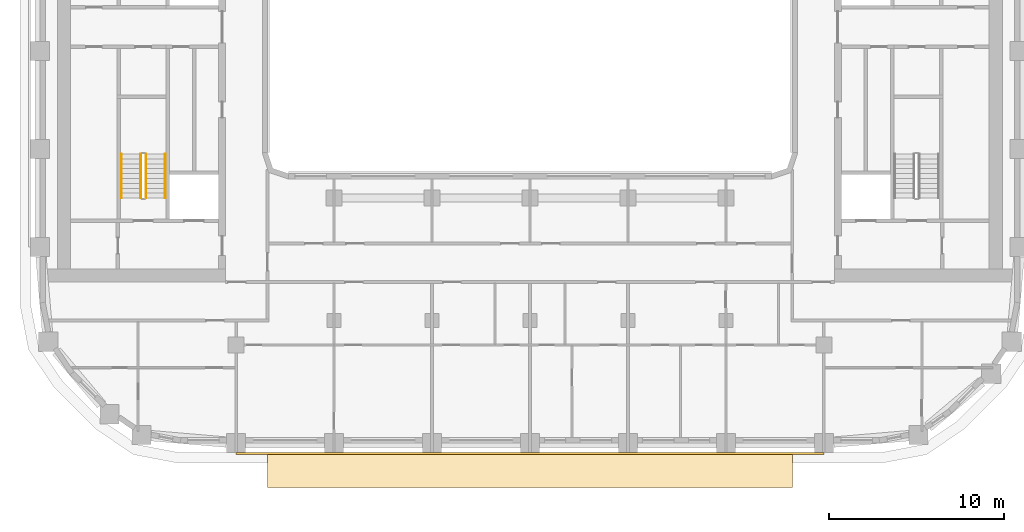
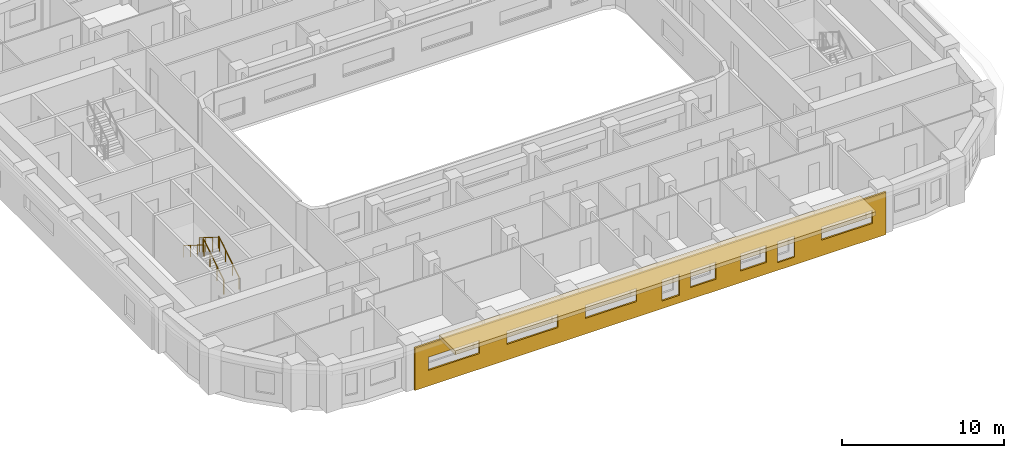
# One storey, part 12 of 22: 4 railings, 2 coverings.
"""IFC4 building model written with IfcOpenShell, lengths in metres."""

from ifc_helpers import new_model, si_unit, direction, frame, origin, origin_2d, place, context, subcontext, project, spatial, polyline, circle, outline, extrude, material, layer, layer_set, type_object, element, save


model = new_model("IFC4")

# Units and contexts
model_context = context("Model", 3, precision=1e-05, world=origin(), true_north=direction((0.0, 1.0)))
body_context = subcontext(model_context, "Body", "Model", "MODEL_VIEW")
ifc_project = project(units=[si_unit("LENGTHUNIT", "METRE"), si_unit("AREAUNIT", "SQUARE_METRE"), si_unit("VOLUMEUNIT", "CUBIC_METRE"), si_unit("PLANEANGLEUNIT", "RADIAN"), si_unit("MASSUNIT", "GRAM", prefix="KILO")], contexts=[model_context])

# Site, building, storey
site_placement = place(None, origin())
site = spatial("IfcSite", under=ifc_project, at=site_placement, CompositionType="ELEMENT")
building_placement = place(site_placement, origin())
building = spatial("IfcBuilding", under=site, at=building_placement, Name="Kiln Ring Residences", CompositionType="ELEMENT")
storey_placement = place(building_placement, frame((0.0, 0.0, 143.10009765625)))
storey = spatial("IfcBuildingStorey", under=building, at=storey_placement, Name="L36", CompositionType="ELEMENT", Elevation=143.10009765625)

# Railings
ifc_material_1 = material(Name="Stainless steel", Category="steel")
railing_type_1 = type_object("IfcRailingType", Name="CORE-STAIR-GUARD", PredefinedType="GUARDRAIL", material=ifc_material_1)
railing_1_placement = place(storey_placement, frame((-21.949951171875, -8.39990234375, 0.1748046875)))
element("IfcRailing", 1, at=railing_1_placement, inside=storey, type_object=railing_type_1, Name="L36 W-STS stair guard 1", PredefinedType="GUARDRAIL", context=body_context, shape_type="SweptSolid", body=[
    extrude(circle(Radius=0.02392578125, at=origin_2d()), frame((0.0, 0.0, 1.076171875), z_axis=(0.0, 0.847970611238, 0.530043245855), x_axis=(-1.0, 0.0, 0.0)), (0.0, 0.0, 1.0), 2.971923828125),
    extrude(circle(Radius=0.02099609375, at=origin_2d()), origin(), (0.0, 0.0, 1.0), 1.052001953125),
    extrude(circle(Radius=0.02099609375, at=origin_2d()), frame((0.0, 0.840087890625, 0.525146484375)), (0.0, 0.0, 1.0), 1.052001953125),
    extrude(circle(Radius=0.02099609375, at=origin_2d()), frame((0.0, 1.679931640625, 1.050048828125)), (0.0, 0.0, 1.0), 1.052001953125),
    extrude(circle(Radius=0.02099609375, at=origin_2d()), frame((0.0, 2.52001953125, 1.5751953125)), (0.0, 0.0, 1.0), 1.052001953125),
])
railing_2_placement = place(storey_placement, frame((-22.25, -5.8798828125, 1.9248046875)))
element("IfcRailing", 2, at=railing_2_placement, inside=storey, type_object=railing_type_1, Name="L36 W-STS stair guard 3", PredefinedType="GUARDRAIL", context=body_context, shape_type="SweptSolid", body=[
    extrude(circle(Radius=0.02392578125, at=origin_2d()), frame((0.0, 0.0, 1.076171875), z_axis=(0.0, -0.847970611238, 0.530043245855), x_axis=(1.0, 0.0, 0.0)), (0.0, 0.0, 1.0), 2.971923828125),
    extrude(circle(Radius=0.02099609375, at=origin_2d()), origin(), (0.0, 0.0, 1.0), 1.052001953125),
    extrude(circle(Radius=0.02099609375, at=origin_2d()), frame((0.0, -0.840087890625, 0.525146484375)), (0.0, 0.0, 1.0), 1.052001953125),
    extrude(circle(Radius=0.02099609375, at=origin_2d()), frame((0.0, -1.679931640625, 1.050048828125)), (0.0, 0.0, 1.0), 1.052001953125),
    extrude(circle(Radius=0.02099609375, at=origin_2d()), frame((0.0, -2.52001953125, 1.5751953125)), (0.0, 0.0, 1.0), 1.052001953125),
])
ifc_material_2 = material(Name="Stainless steel", Category="steel")
railing_type_2 = type_object("IfcRailingType", Name="CORE-STAIR-HANDRAIL", PredefinedType="HANDRAIL", material=ifc_material_2)
railing_3_placement = place(storey_placement, frame((-20.85009765625, -8.39990234375, 0.1748046875)))
element("IfcRailing", 3, at=railing_3_placement, inside=storey, type_object=railing_type_2, Name="L36 W-STS stair handrail 1", PredefinedType="HANDRAIL", context=body_context, shape_type="SweptSolid", body=[
    extrude(circle(Radius=0.02392578125, at=origin_2d()), frame((0.0, 0.0, 0.8759765625), z_axis=(0.0, 0.847970611238, 0.530043245855), x_axis=(-1.0, 0.0, 0.0)), (0.0, 0.0, 1.0), 2.971923828125),
    extrude(circle(Radius=0.02099609375, at=origin_2d()), origin(), (0.0, 0.0, 1.0), 0.851806640625),
    extrude(circle(Radius=0.02099609375, at=origin_2d()), frame((0.0, 0.840087890625, 0.525146484375)), (0.0, 0.0, 1.0), 0.851806640625),
    extrude(circle(Radius=0.02099609375, at=origin_2d()), frame((0.0, 1.679931640625, 1.050048828125)), (0.0, 0.0, 1.0), 0.851806640625),
    extrude(circle(Radius=0.02099609375, at=origin_2d()), frame((0.0, 2.52001953125, 1.5751953125)), (0.0, 0.0, 1.0), 0.851806640625),
])
railing_4_placement = place(storey_placement, frame((-23.35009765625, -5.8798828125, 1.9248046875)))
element("IfcRailing", 4, at=railing_4_placement, inside=storey, type_object=railing_type_2, Name="L36 W-STS stair handrail 2", PredefinedType="HANDRAIL", context=body_context, shape_type="SweptSolid", body=[
    extrude(circle(Radius=0.02392578125, at=origin_2d()), frame((0.0, 0.0, 0.8759765625), z_axis=(0.0, -0.847970611238, 0.530043245855), x_axis=(1.0, 0.0, 0.0)), (0.0, 0.0, 1.0), 2.971923828125),
    extrude(circle(Radius=0.02099609375, at=origin_2d()), origin(), (0.0, 0.0, 1.0), 0.851806640625),
    extrude(circle(Radius=0.02099609375, at=origin_2d()), frame((0.0, -0.840087890625, 0.525146484375)), (0.0, 0.0, 1.0), 0.851806640625),
    extrude(circle(Radius=0.02099609375, at=origin_2d()), frame((0.0, -1.679931640625, 1.050048828125)), (0.0, 0.0, 1.0), 0.851806640625),
    extrude(circle(Radius=0.02099609375, at=origin_2d()), frame((0.0, -2.52001953125, 1.5751953125)), (0.0, 0.0, 1.0), 0.851806640625),
])

# Coverings
ifc_material_3 = material(Name="Brick masonry, dark clay brick", Category="masonry")
ifc_layer_1 = layer(ifc_material_3, 0.1201171875)
ifc_layer_set_1 = layer_set([ifc_layer_1], Name="RAINSCREEN PANEL 120")
covering_type_1 = type_object("IfcCoveringType", Name="RAINSCREEN PANEL 120", PredefinedType="CLADDING", material=ifc_layer_set_1)
covering_1_placement = place(storey_placement, frame((-16.800048828125, -23.010009765625, 0.0), z_axis=(0.0, 0.0, 1.0), x_axis=(1.0, 0.0, 0.0)))
element("IfcCovering", 5, at=covering_1_placement, inside=storey, type_object=covering_type_1, Name="RAINSCREEN L36", PredefinedType="CLADDING", context=body_context, shape_type="SweptSolid", body=[
    extrude(outline(polyline([(0.0, 0.0), (33.60009765625, 0.0), (33.60009765625, 3.199951171875), (0.0, 3.199951171875), (0.0, 0.0)]), holes=[polyline([(17.617431640625, 0.579833984375), (18.857421875, 0.579833984375), (18.857421875, 2.169921875), (17.617431640625, 2.169921875), (17.617431640625, 0.579833984375)]), polyline([(25.842529296875, 0.579833984375), (27.08251953125, 0.579833984375), (27.08251953125, 2.169921875), (25.842529296875, 2.169921875), (25.842529296875, 0.579833984375)]), polyline([(19.642578125, 0.8798828125), (21.482421875, 0.8798828125), (21.482421875, 2.169921875), (19.642578125, 2.169921875), (19.642578125, 0.8798828125)]), polyline([(23.217529296875, 0.8798828125), (25.0576171875, 0.8798828125), (25.0576171875, 2.169921875), (23.217529296875, 2.169921875), (23.217529296875, 0.8798828125)]), polyline([(0.97998046875, 1.179931640625), (4.6201171875, 1.179931640625), (4.6201171875, 2.169921875), (0.97998046875, 2.169921875), (0.97998046875, 1.179931640625)]), polyline([(6.580078125, 1.179931640625), (10.219970703125, 1.179931640625), (10.219970703125, 2.169921875), (6.580078125, 2.169921875), (6.580078125, 1.179931640625)]), polyline([(12.179931640625, 1.179931640625), (15.820068359375, 1.179931640625), (15.820068359375, 2.169921875), (12.179931640625, 2.169921875), (12.179931640625, 1.179931640625)]), polyline([(28.97998046875, 1.179931640625), (32.6201171875, 1.179931640625), (32.6201171875, 2.169921875), (28.97998046875, 2.169921875), (28.97998046875, 1.179931640625)])]), frame((0.0, 0.06005859375, 0.0), z_axis=(0.0, -1.0, 0.0), x_axis=(1.0, 0.0, 0.0)), (0.0, 0.0, 1.0), 0.1201171875),
])
ifc_material_4 = material(Name="Black powder-coated steel", Category="steel")
ifc_layer_2 = layer(ifc_material_4, 0.300048828125)
ifc_layer_set_2 = layer_set([ifc_layer_2], Name="SUNSHADE BAND 2000")
covering_type_2 = type_object("IfcCoveringType", Name="SUNSHADE BAND 2000", PredefinedType="CLADDING", material=ifc_layer_set_2)
covering_2_placement = place(storey_placement, frame((0.0, 0.0, 3.199951171875)))
element("IfcCovering", 6, at=covering_2_placement, inside=storey, type_object=covering_type_2, Name="SUNSHADE BAND L36", PredefinedType="CLADDING", context=body_context, shape_type="SweptSolid", body=[
    extrude(outline(polyline([(-15.0, -24.949951171875), (15.0, -24.949951171875), (15.0, -22.949951171875), (-15.0, -22.949951171875), (-15.0, -24.949951171875)])), origin(), (0.0, 0.0, 1.0), 0.300048828125),
])

save(model, "model.ifc")
